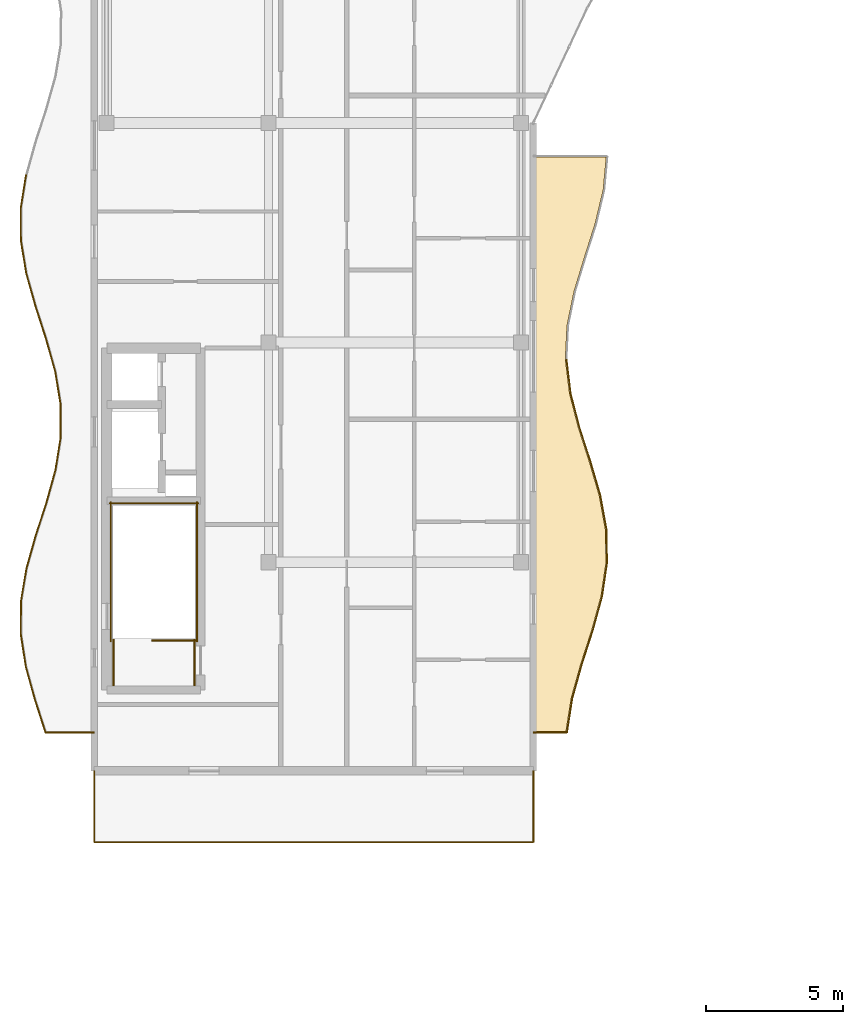
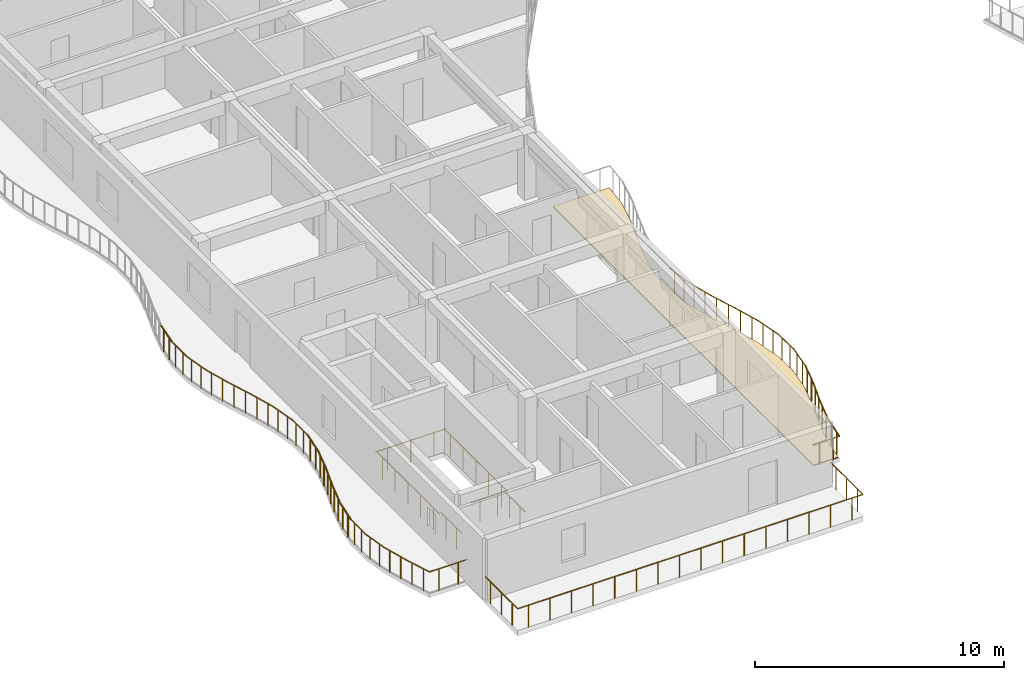
# One storey, part 47 of 68: 39 railings, 1 covering.
"""IFC4 building model written with IfcOpenShell, lengths in metres."""

from ifc_helpers import new_model, si_unit, direction, frame, origin, origin_2d, place, context, subcontext, project, spatial, polyline, circle, outline, extrude, material, layer, layer_set, type_object, element, save


model = new_model("IFC4")

# Units and contexts
model_context = context("Model", 3, precision=1e-05, world=origin(), true_north=direction((0.0, 1.0)))
body_context = subcontext(model_context, "Body", "Model", "MODEL_VIEW")
ifc_project = project(units=[si_unit("LENGTHUNIT", "METRE"), si_unit("AREAUNIT", "SQUARE_METRE"), si_unit("VOLUMEUNIT", "CUBIC_METRE"), si_unit("PLANEANGLEUNIT", "RADIAN"), si_unit("MASSUNIT", "GRAM", prefix="KILO")], contexts=[model_context])

# Site, building, storey
site_placement = place(None, origin())
site = spatial("IfcSite", under=ifc_project, at=site_placement, CompositionType="ELEMENT")
building_placement = place(site_placement, origin())
building = spatial("IfcBuilding", under=site, at=building_placement, Name="Keldmere Railside Commons", CompositionType="ELEMENT")
storey_placement = place(building_placement, frame((0.0, 0.0, 23.360107421875)))
storey = spatial("IfcBuildingStorey", under=building, at=storey_placement, Name="L07", CompositionType="ELEMENT", Elevation=23.360107421875)

# Railings
ifc_material_1 = material(Name="Steel F-24 (S235)", Category="steel")
railing_type_1 = type_object("IfcRailingType", Name="Balcony & Terrace Steel Balustrade 1100", PredefinedType="BALUSTRADE", material=ifc_material_1)
railing_1_placement = place(storey_placement, frame((24.0, 65.800048828125, 0.0)))
element("IfcRailing", 1, at=railing_1_placement, inside=storey, type_object=railing_type_1, Name="GR-1 GRD-L07-0716", PredefinedType="BALUSTRADE", context=body_context, shape_type="SweptSolid", body=[
    extrude(circle(Radius=0.02392578125, at=origin_2d()), frame((0.0, 0.0, 1.076171875), z_axis=(1.0, 0.0, 0.0), x_axis=(0.0, 1.0, 0.0)), (0.0, 0.0, 1.0), 1.22119140625),
    extrude(circle(Radius=0.02099609375, at=origin_2d()), frame((0.30517578125, 0.0, 0.0)), (0.0, 0.0, 1.0), 1.048095703125),
    extrude(circle(Radius=0.02099609375, at=origin_2d()), frame((0.916015625, 0.0, 0.0)), (0.0, 0.0, 1.0), 1.048095703125),
])
railing_2_placement = place(storey_placement, frame((25.22119140625, 65.800048828125, 0.0)))
element("IfcRailing", 2, at=railing_2_placement, inside=storey, type_object=railing_type_1, Name="GR-1 GRD-L07-0717", PredefinedType="BALUSTRADE", context=body_context, shape_type="SweptSolid", body=[
    extrude(circle(Radius=0.02392578125, at=origin_2d()), frame((0.0, 0.0, 1.076171875), z_axis=(0.155020076668, 0.987911319821, 0.0), x_axis=(-0.987911319821, 0.155020076668, 0.0)), (0.0, 0.0, 1.0), 1.25048828125),
    extrude(circle(Radius=0.02099609375, at=origin_2d()), frame((0.04833984375, 0.308837890625, 0.0)), (0.0, 0.0, 1.0), 1.048095703125),
    extrude(circle(Radius=0.02099609375, at=origin_2d()), frame((0.1455078125, 0.926513671875, 0.0)), (0.0, 0.0, 1.0), 1.048095703125),
])
railing_3_placement = place(storey_placement, frame((25.4150390625, 67.035400390625, 0.0)))
element("IfcRailing", 3, at=railing_3_placement, inside=storey, type_object=railing_type_1, Name="GR-1 GRD-L07-0718", PredefinedType="BALUSTRADE", context=body_context, shape_type="SweptSolid", body=[
    extrude(circle(Radius=0.02392578125, at=origin_2d()), frame((0.0, 0.0, 1.076171875), z_axis=(0.269538137452, 0.962989715656, 0.0), x_axis=(-0.962989715656, 0.269538137452, 0.0)), (0.0, 0.0, 1.0), 1.282470703125),
    extrude(circle(Radius=0.02099609375, at=origin_2d()), frame((0.08642578125, 0.308837890625, 0.0)), (0.0, 0.0, 1.0), 1.048095703125),
    extrude(circle(Radius=0.02099609375, at=origin_2d()), frame((0.25927734375, 0.92626953125, 0.0)), (0.0, 0.0, 1.0), 1.048095703125),
])
railing_4_placement = place(storey_placement, frame((25.7607421875, 68.2705078125, 0.0)))
element("IfcRailing", 4, at=railing_4_placement, inside=storey, type_object=railing_type_1, Name="GR-1 GRD-L07-0719", PredefinedType="BALUSTRADE", context=body_context, shape_type="SweptSolid", body=[
    extrude(circle(Radius=0.02392578125, at=origin_2d()), frame((0.0, 0.0, 1.076171875), z_axis=(0.307469778479, 0.951557846545, 0.0), x_axis=(-0.951557846545, 0.307469778479, 0.0)), (0.0, 0.0, 1.0), 1.29833984375),
    extrude(circle(Radius=0.02099609375, at=origin_2d()), frame((0.099853515625, 0.308837890625, 0.0)), (0.0, 0.0, 1.0), 1.048095703125),
    extrude(circle(Radius=0.02099609375, at=origin_2d()), frame((0.29931640625, 0.926513671875, 0.0)), (0.0, 0.0, 1.0), 1.048095703125),
])
railing_5_placement = place(storey_placement, frame((26.159912109375, 69.505859375, 0.0)))
element("IfcRailing", 5, at=railing_5_placement, inside=storey, type_object=railing_type_1, Name="GR-1 GRD-L07-0720", PredefinedType="BALUSTRADE", context=body_context, shape_type="SweptSolid", body=[
    extrude(circle(Radius=0.02392578125, at=origin_2d()), frame((0.0, 0.0, 1.076171875), z_axis=(0.26524505813, 0.964181030273, 0.0), x_axis=(-0.964181030273, 0.26524505813, 0.0)), (0.0, 0.0, 1.0), 1.28125),
    extrude(circle(Radius=0.02099609375, at=origin_2d()), frame((0.0849609375, 0.308837890625, 0.0)), (0.0, 0.0, 1.0), 1.048095703125),
    extrude(circle(Radius=0.02099609375, at=origin_2d()), frame((0.2548828125, 0.926513671875, 0.0)), (0.0, 0.0, 1.0), 1.048095703125),
])
railing_6_placement = place(storey_placement, frame((26.499755859375, 70.7412109375, 0.0)))
element("IfcRailing", 6, at=railing_6_placement, inside=storey, type_object=railing_type_1, Name="GR-1 GRD-L07-0721", PredefinedType="BALUSTRADE", context=body_context, shape_type="SweptSolid", body=[
    extrude(circle(Radius=0.02392578125, at=origin_2d()), frame((0.0, 0.0, 1.076171875), z_axis=(0.14719330666, 0.989107744624, 0.0), x_axis=(-0.989107744624, 0.14719330666, 0.0)), (0.0, 0.0, 1.0), 1.2490234375),
    extrude(circle(Radius=0.02099609375, at=origin_2d()), frame((0.0458984375, 0.308837890625, 0.0)), (0.0, 0.0, 1.0), 1.048095703125),
    extrude(circle(Radius=0.02099609375, at=origin_2d()), frame((0.137939453125, 0.926513671875, 0.0)), (0.0, 0.0, 1.0), 1.048095703125),
])
railing_7_placement = place(storey_placement, frame((26.68359375, 71.9765625, 0.0)))
element("IfcRailing", 7, at=railing_7_placement, inside=storey, type_object=railing_type_1, Name="GR-1 GRD-L07-0722", PredefinedType="BALUSTRADE", context=body_context, shape_type="SweptSolid", body=[
    extrude(circle(Radius=0.02392578125, at=origin_2d()), frame((0.0, 0.0, 1.076171875), z_axis=(-0.019561473706, 0.999808656067, 0.0), x_axis=(-0.999808656067, -0.019561473706, 0.0)), (0.0, 0.0, 1.0), 1.235595703125),
    extrude(circle(Radius=0.02099609375, at=origin_2d()), frame((-0.006103515625, 0.308837890625, 0.0)), (0.0, 0.0, 1.0), 1.048095703125),
    extrude(circle(Radius=0.02099609375, at=origin_2d()), frame((-0.01806640625, 0.926513671875, 0.0)), (0.0, 0.0, 1.0), 1.048095703125),
])
railing_8_placement = place(storey_placement, frame((26.659423828125, 73.2119140625, 0.0)))
element("IfcRailing", 8, at=railing_8_placement, inside=storey, type_object=railing_type_1, Name="GR-1 GRD-L07-0723", PredefinedType="BALUSTRADE", context=body_context, shape_type="SweptSolid", body=[
    extrude(circle(Radius=0.02392578125, at=origin_2d()), frame((0.0, 0.0, 1.076171875), z_axis=(-0.179484334361, 0.983760831564, 0.0), x_axis=(-0.983760831564, -0.179484334361, 0.0)), (0.0, 0.0, 1.0), 1.255615234375),
    extrude(circle(Radius=0.02099609375, at=origin_2d()), frame((-0.056396484375, 0.308837890625, 0.0)), (0.0, 0.0, 1.0), 1.048095703125),
    extrude(circle(Radius=0.02099609375, at=origin_2d()), frame((-0.1689453125, 0.92626953125, 0.0)), (0.0, 0.0, 1.0), 1.048095703125),
])
railing_9_placement = place(storey_placement, frame((26.43408203125, 74.447021484375, 0.0)))
element("IfcRailing", 9, at=railing_9_placement, inside=storey, type_object=railing_type_1, Name="GR-1 GRD-L07-0724", PredefinedType="BALUSTRADE", context=body_context, shape_type="SweptSolid", body=[
    extrude(circle(Radius=0.02392578125, at=origin_2d()), frame((0.0, 0.0, 1.076171875), z_axis=(-0.28160161041, 0.95953141325, 0.0), x_axis=(-0.95953141325, -0.28160161041, 0.0)), (0.0, 0.0, 1.0), 1.287353515625),
    extrude(circle(Radius=0.02099609375, at=origin_2d()), frame((-0.090576171875, 0.308837890625, 0.0)), (0.0, 0.0, 1.0), 1.048095703125),
    extrude(circle(Radius=0.02099609375, at=origin_2d()), frame((-0.27197265625, 0.926513671875, 0.0)), (0.0, 0.0, 1.0), 1.048095703125),
])
railing_10_placement = place(storey_placement, frame((26.071533203125, 75.682373046875, 0.0)))
element("IfcRailing", 10, at=railing_10_placement, inside=storey, type_object=railing_type_1, Name="GR-1 GRD-L07-0725", PredefinedType="BALUSTRADE", context=body_context, shape_type="SweptSolid", body=[
    extrude(circle(Radius=0.02392578125, at=origin_2d()), frame((0.0, 0.0, 1.076171875), z_axis=(-0.305990905619, 0.952034435133, 0.0), x_axis=(-0.952034435133, -0.305990905619, 0.0)), (0.0, 0.0, 1.0), 1.29736328125),
    extrude(circle(Radius=0.02099609375, at=origin_2d()), frame((-0.09912109375, 0.308837890625, 0.0)), (0.0, 0.0, 1.0), 1.048095703125),
    extrude(circle(Radius=0.02099609375, at=origin_2d()), frame((-0.2978515625, 0.92626953125, 0.0)), (0.0, 0.0, 1.0), 1.048095703125),
])
railing_11_placement = place(storey_placement, frame((25.674560546875, 76.91748046875, 0.0)))
element("IfcRailing", 11, at=railing_11_placement, inside=storey, type_object=railing_type_1, Name="GR-1 GRD-L07-0726", PredefinedType="BALUSTRADE", context=body_context, shape_type="SweptSolid", body=[
    extrude(circle(Radius=0.02392578125, at=origin_2d()), frame((0.0, 0.0, 1.076171875), z_axis=(-0.250092136248, 0.968222042399, 0.0), x_axis=(-0.968222042399, -0.250092136248, 0.0)), (0.0, 0.0, 1.0), 1.27587890625),
    extrude(circle(Radius=0.02099609375, at=origin_2d()), frame((-0.079833984375, 0.308837890625, 0.0)), (0.0, 0.0, 1.0), 1.048095703125),
    extrude(circle(Radius=0.02099609375, at=origin_2d()), frame((-0.2392578125, 0.926513671875, 0.0)), (0.0, 0.0, 1.0), 1.048095703125),
])
railing_12_placement = place(storey_placement, frame((25.35546875, 78.15283203125, 0.0)))
element("IfcRailing", 12, at=railing_12_placement, inside=storey, type_object=railing_type_1, Name="GR-1 GRD-L07-0727", PredefinedType="BALUSTRADE", context=body_context, shape_type="SweptSolid", body=[
    extrude(circle(Radius=0.02392578125, at=origin_2d()), frame((0.0, 0.0, 1.076171875), z_axis=(-0.120846923168, 0.992671154593, 0.0), x_axis=(-0.992671154593, -0.120846923168, 0.0)), (0.0, 0.0, 1.0), 1.244384765625),
    extrude(circle(Radius=0.02099609375, at=origin_2d()), frame((-0.03759765625, 0.308837890625, 0.0)), (0.0, 0.0, 1.0), 1.048095703125),
    extrude(circle(Radius=0.02099609375, at=origin_2d()), frame((-0.11279296875, 0.926513671875, 0.0)), (0.0, 0.0, 1.0), 1.048095703125),
])
railing_13_placement = place(storey_placement, frame((8.0, 65.800048828125, 0.0)))
element("IfcRailing", 13, at=railing_13_placement, inside=storey, type_object=railing_type_1, Name="GR-1 GRD-L07-0735", PredefinedType="BALUSTRADE", context=body_context, shape_type="SweptSolid", body=[
    extrude(circle(Radius=0.02392578125, at=origin_2d()), frame((0.0, 0.0, 1.076171875), z_axis=(-1.0, 0.0, 0.0), x_axis=(0.0, -1.0, 0.0)), (0.0, 0.0, 1.0), 1.776611328125),
    extrude(circle(Radius=0.02099609375, at=origin_2d()), frame((-0.444091796875, 0.0, 0.0)), (0.0, 0.0, 1.0), 1.048095703125),
    extrude(circle(Radius=0.02099609375, at=origin_2d()), frame((-1.33251953125, 0.0, 0.0)), (0.0, 0.0, 1.0), 1.048095703125),
])
railing_14_placement = place(storey_placement, frame((6.223388671875, 65.800048828125, 0.0)))
element("IfcRailing", 14, at=railing_14_placement, inside=storey, type_object=railing_type_1, Name="GR-1 GRD-L07-0736", PredefinedType="BALUSTRADE", context=body_context, shape_type="SweptSolid", body=[
    extrude(circle(Radius=0.02392578125, at=origin_2d()), frame((0.0, 0.0, 1.076171875), z_axis=(-0.307758169551, 0.951464612623, 0.0), x_axis=(-0.951464612623, -0.307758169551, 0.0)), (0.0, 0.0, 1.0), 1.255859375),
    extrude(circle(Radius=0.02099609375, at=origin_2d()), frame((-0.0966796875, 0.298828125, 0.0)), (0.0, 0.0, 1.0), 1.048095703125),
    extrude(circle(Radius=0.02099609375, at=origin_2d()), frame((-0.289794921875, 0.89599609375, 0.0)), (0.0, 0.0, 1.0), 1.048095703125),
])
railing_15_placement = place(storey_placement, frame((5.8369140625, 66.994873046875, 0.0)))
element("IfcRailing", 15, at=railing_15_placement, inside=storey, type_object=railing_type_1, Name="GR-1 GRD-L07-0737", PredefinedType="BALUSTRADE", context=body_context, shape_type="SweptSolid", body=[
    extrude(circle(Radius=0.02392578125, at=origin_2d()), frame((0.0, 0.0, 1.076171875), z_axis=(-0.266099406585, 0.963945592767, 0.0), x_axis=(-0.963945592767, -0.266099406585, 0.0)), (0.0, 0.0, 1.0), 1.239501953125),
    extrude(circle(Radius=0.02099609375, at=origin_2d()), frame((-0.08251953125, 0.298828125, 0.0)), (0.0, 0.0, 1.0), 1.048095703125),
    extrude(circle(Radius=0.02099609375, at=origin_2d()), frame((-0.247314453125, 0.89599609375, 0.0)), (0.0, 0.0, 1.0), 1.048095703125),
])
railing_16_placement = place(storey_placement, frame((5.507080078125, 68.189697265625, 0.0)))
element("IfcRailing", 16, at=railing_16_placement, inside=storey, type_object=railing_type_1, Name="GR-1 GRD-L07-0738", PredefinedType="BALUSTRADE", context=body_context, shape_type="SweptSolid", body=[
    extrude(circle(Radius=0.02392578125, at=origin_2d()), frame((0.0, 0.0, 1.076171875), z_axis=(-0.153452907858, 0.988155961916, 0.0), x_axis=(-0.988155961916, -0.153452907858, 0.0)), (0.0, 0.0, 1.0), 1.209228515625),
    extrude(circle(Radius=0.02099609375, at=origin_2d()), frame((-0.04638671875, 0.298828125, 0.0)), (0.0, 0.0, 1.0), 1.048095703125),
    extrude(circle(Radius=0.02099609375, at=origin_2d()), frame((-0.13916015625, 0.89599609375, 0.0)), (0.0, 0.0, 1.0), 1.048095703125),
])
railing_17_placement = place(storey_placement, frame((5.321533203125, 69.384521484375, 0.0)))
element("IfcRailing", 17, at=railing_17_placement, inside=storey, type_object=railing_type_1, Name="GR-1 GRD-L07-0739", PredefinedType="BALUSTRADE", context=body_context, shape_type="SweptSolid", body=[
    extrude(circle(Radius=0.02392578125, at=origin_2d()), frame((0.0, 0.0, 1.076171875), z_axis=(0.006741419841, 0.999977276371, 0.0), x_axis=(-0.999977276371, 0.006741419841, 0.0)), (0.0, 0.0, 1.0), 1.195068359375),
    extrude(circle(Radius=0.02099609375, at=origin_2d()), frame((0.001953125, 0.298828125, 0.0)), (0.0, 0.0, 1.0), 1.048095703125),
    extrude(circle(Radius=0.02099609375, at=origin_2d()), frame((0.006103515625, 0.896240234375, 0.0)), (0.0, 0.0, 1.0), 1.048095703125),
])
railing_18_placement = place(storey_placement, frame((5.32958984375, 70.57958984375, 0.0)))
element("IfcRailing", 18, at=railing_18_placement, inside=storey, type_object=railing_type_1, Name="GR-1 GRD-L07-0740", PredefinedType="BALUSTRADE", context=body_context, shape_type="SweptSolid", body=[
    extrude(circle(Radius=0.02392578125, at=origin_2d()), frame((0.0, 0.0, 1.076171875), z_axis=(0.16466044242, 0.986350312365, 0.0), x_axis=(-0.986350312365, 0.16466044242, 0.0)), (0.0, 0.0, 1.0), 1.21142578125),
    extrude(circle(Radius=0.02099609375, at=origin_2d()), frame((0.0498046875, 0.298828125, 0.0)), (0.0, 0.0, 1.0), 1.048095703125),
    extrude(circle(Radius=0.02099609375, at=origin_2d()), frame((0.149658203125, 0.89599609375, 0.0)), (0.0, 0.0, 1.0), 1.048095703125),
])
railing_19_placement = place(storey_placement, frame((5.529052734375, 71.7744140625, 0.0)))
element("IfcRailing", 19, at=railing_19_placement, inside=storey, type_object=railing_type_1, Name="GR-1 GRD-L07-0741", PredefinedType="BALUSTRADE", context=body_context, shape_type="SweptSolid", body=[
    extrude(circle(Radius=0.02392578125, at=origin_2d()), frame((0.0, 0.0, 1.076171875), z_axis=(0.272123246887, 0.962262406261, 0.0), x_axis=(-0.962262406261, 0.272123246887, 0.0)), (0.0, 0.0, 1.0), 1.24169921875),
    extrude(circle(Radius=0.02099609375, at=origin_2d()), frame((0.08447265625, 0.298828125, 0.0)), (0.0, 0.0, 1.0), 1.048095703125),
    extrude(circle(Radius=0.02099609375, at=origin_2d()), frame((0.25341796875, 0.89599609375, 0.0)), (0.0, 0.0, 1.0), 1.048095703125),
])
railing_20_placement = place(storey_placement, frame((5.866943359375, 72.96923828125, 0.0)))
element("IfcRailing", 20, at=railing_20_placement, inside=storey, type_object=railing_type_1, Name="GR-1 GRD-L07-0742", PredefinedType="BALUSTRADE", context=body_context, shape_type="SweptSolid", body=[
    extrude(circle(Radius=0.02392578125, at=origin_2d()), frame((0.0, 0.0, 1.076171875), z_axis=(0.307758169551, 0.951464612623, 0.0), x_axis=(-0.951464612623, 0.307758169551, 0.0)), (0.0, 0.0, 1.0), 1.255859375),
    extrude(circle(Radius=0.02099609375, at=origin_2d()), frame((0.0966796875, 0.298828125, 0.0)), (0.0, 0.0, 1.0), 1.048095703125),
    extrude(circle(Radius=0.02099609375, at=origin_2d()), frame((0.289794921875, 0.89599609375, 0.0)), (0.0, 0.0, 1.0), 1.048095703125),
])
railing_21_placement = place(storey_placement, frame((6.25341796875, 74.1640625, 0.0)))
element("IfcRailing", 21, at=railing_21_placement, inside=storey, type_object=railing_type_1, Name="GR-1 GRD-L07-0743", PredefinedType="BALUSTRADE", context=body_context, shape_type="SweptSolid", body=[
    extrude(circle(Radius=0.02392578125, at=origin_2d()), frame((0.0, 0.0, 1.076171875), z_axis=(0.26811085958, 0.963388066656, 0.0), x_axis=(-0.963388066656, 0.26811085958, 0.0)), (0.0, 0.0, 1.0), 1.240234375),
    extrude(circle(Radius=0.02099609375, at=origin_2d()), frame((0.0830078125, 0.298828125, 0.0)), (0.0, 0.0, 1.0), 1.048095703125),
    extrude(circle(Radius=0.02099609375, at=origin_2d()), frame((0.24951171875, 0.89599609375, 0.0)), (0.0, 0.0, 1.0), 1.048095703125),
])
railing_22_placement = place(storey_placement, frame((6.5859375, 75.35888671875, 0.0)))
element("IfcRailing", 22, at=railing_22_placement, inside=storey, type_object=railing_type_1, Name="GR-1 GRD-L07-0744", PredefinedType="BALUSTRADE", context=body_context, shape_type="SweptSolid", body=[
    extrude(circle(Radius=0.02392578125, at=origin_2d()), frame((0.0, 0.0, 1.076171875), z_axis=(0.157195561488, 0.987567494123, 0.0), x_axis=(-0.987567494123, 0.157195561488, 0.0)), (0.0, 0.0, 1.0), 1.2099609375),
    extrude(circle(Radius=0.02099609375, at=origin_2d()), frame((0.047607421875, 0.298828125, 0.0)), (0.0, 0.0, 1.0), 1.048095703125),
    extrude(circle(Radius=0.02099609375, at=origin_2d()), frame((0.142578125, 0.89599609375, 0.0)), (0.0, 0.0, 1.0), 1.048095703125),
])
railing_23_placement = place(storey_placement, frame((6.776123046875, 76.5537109375, 0.0)))
element("IfcRailing", 23, at=railing_23_placement, inside=storey, type_object=railing_type_1, Name="GR-1 GRD-L07-0745", PredefinedType="BALUSTRADE", context=body_context, shape_type="SweptSolid", body=[
    extrude(circle(Radius=0.02392578125, at=origin_2d()), frame((0.0, 0.0, 1.076171875), z_axis=(-0.002451473737, 0.999996995134, 0.0), x_axis=(-0.999996995134, -0.002451473737, 0.0)), (0.0, 0.0, 1.0), 1.195068359375),
    extrude(circle(Radius=0.02099609375, at=origin_2d()), frame((-0.000732421875, 0.298828125, 0.0)), (0.0, 0.0, 1.0), 1.048095703125),
    extrude(circle(Radius=0.02099609375, at=origin_2d()), frame((-0.002197265625, 0.896240234375, 0.0)), (0.0, 0.0, 1.0), 1.048095703125),
])
railing_24_placement = place(storey_placement, frame((6.773193359375, 77.748779296875, 0.0)))
element("IfcRailing", 24, at=railing_24_placement, inside=storey, type_object=railing_type_1, Name="GR-1 GRD-L07-0746", PredefinedType="BALUSTRADE", context=body_context, shape_type="SweptSolid", body=[
    extrude(circle(Radius=0.02392578125, at=origin_2d()), frame((0.0, 0.0, 1.076171875), z_axis=(-0.161127890205, 0.986933535248, 0.0), x_axis=(-0.986933535248, -0.161127890205, 0.0)), (0.0, 0.0, 1.0), 1.210693359375),
    extrude(circle(Radius=0.02099609375, at=origin_2d()), frame((-0.048828125, 0.298828125, 0.0)), (0.0, 0.0, 1.0), 1.048095703125),
    extrude(circle(Radius=0.02099609375, at=origin_2d()), frame((-0.146240234375, 0.89599609375, 0.0)), (0.0, 0.0, 1.0), 1.048095703125),
])
railing_25_placement = place(storey_placement, frame((6.578125, 78.943603515625, 0.0)))
element("IfcRailing", 25, at=railing_25_placement, inside=storey, type_object=railing_type_1, Name="GR-1 GRD-L07-0747", PredefinedType="BALUSTRADE", context=body_context, shape_type="SweptSolid", body=[
    extrude(circle(Radius=0.02392578125, at=origin_2d()), frame((0.0, 0.0, 1.076171875), z_axis=(-0.27011881235, 0.962826997552, 0.0), x_axis=(-0.962826997552, -0.27011881235, 0.0)), (0.0, 0.0, 1.0), 1.240966796875),
    extrude(circle(Radius=0.02099609375, at=origin_2d()), frame((-0.083740234375, 0.298828125, 0.0)), (0.0, 0.0, 1.0), 1.048095703125),
    extrude(circle(Radius=0.02099609375, at=origin_2d()), frame((-0.25146484375, 0.89599609375, 0.0)), (0.0, 0.0, 1.0), 1.048095703125),
])
railing_26_placement = place(storey_placement, frame((6.242919921875, 80.138427734375, 0.0)))
element("IfcRailing", 26, at=railing_26_placement, inside=storey, type_object=railing_type_1, Name="GR-1 GRD-L07-0748", PredefinedType="BALUSTRADE", context=body_context, shape_type="SweptSolid", body=[
    extrude(circle(Radius=0.02392578125, at=origin_2d()), frame((0.0, 0.0, 1.076171875), z_axis=(-0.307934154276, 0.951407671101, 0.0), x_axis=(-0.951407671101, -0.307934154276, 0.0)), (0.0, 0.0, 1.0), 1.255859375),
    extrude(circle(Radius=0.02099609375, at=origin_2d()), frame((-0.0966796875, 0.298828125, 0.0)), (0.0, 0.0, 1.0), 1.048095703125),
    extrude(circle(Radius=0.02099609375, at=origin_2d()), frame((-0.2900390625, 0.89599609375, 0.0)), (0.0, 0.0, 1.0), 1.048095703125),
])
railing_27_placement = place(storey_placement, frame((5.856201171875, 81.333251953125, 0.0)))
element("IfcRailing", 27, at=railing_27_placement, inside=storey, type_object=railing_type_1, Name="GR-1 GRD-L07-0749", PredefinedType="BALUSTRADE", context=body_context, shape_type="SweptSolid", body=[
    extrude(circle(Radius=0.02392578125, at=origin_2d()), frame((0.0, 0.0, 1.076171875), z_axis=(-0.270067654961, 0.962841348169, 0.0), x_axis=(-0.962841348169, -0.270067654961, 0.0)), (0.0, 0.0, 1.0), 1.2412109375),
    extrude(circle(Radius=0.02099609375, at=origin_2d()), frame((-0.083740234375, 0.298828125, 0.0)), (0.0, 0.0, 1.0), 1.048095703125),
    extrude(circle(Radius=0.02099609375, at=origin_2d()), frame((-0.25146484375, 0.896240234375, 0.0)), (0.0, 0.0, 1.0), 1.048095703125),
])
railing_28_placement = place(storey_placement, frame((5.52099609375, 82.5283203125, 0.0)))
element("IfcRailing", 28, at=railing_28_placement, inside=storey, type_object=railing_type_1, Name="GR-1 GRD-L07-0750", PredefinedType="BALUSTRADE", context=body_context, shape_type="SweptSolid", body=[
    extrude(circle(Radius=0.02392578125, at=origin_2d()), frame((0.0, 0.0, 1.076171875), z_axis=(-0.160734999231, 0.986997598792, 0.0), x_axis=(-0.986997598792, -0.160734999231, 0.0)), (0.0, 0.0, 1.0), 1.21044921875),
    extrude(circle(Radius=0.02099609375, at=origin_2d()), frame((-0.048583984375, 0.298828125, 0.0)), (0.0, 0.0, 1.0), 1.048095703125),
    extrude(circle(Radius=0.02099609375, at=origin_2d()), frame((-0.14599609375, 0.89599609375, 0.0)), (0.0, 0.0, 1.0), 1.048095703125),
])
railing_29_placement = place(storey_placement, frame((5.326416015625, 83.72314453125, 0.0)))
element("IfcRailing", 29, at=railing_29_placement, inside=storey, type_object=railing_type_1, Name="GR-1 GRD-L07-0751", PredefinedType="BALUSTRADE", context=body_context, shape_type="SweptSolid", body=[
    extrude(circle(Radius=0.02392578125, at=origin_2d()), frame((0.0, 0.0, 1.076171875), z_axis=(-0.001838983404, 0.999998309069, 0.0), x_axis=(-0.999998309069, -0.001838983404, 0.0)), (0.0, 0.0, 1.0), 1.19482421875),
    extrude(circle(Radius=0.02099609375, at=origin_2d()), frame((-0.00048828125, 0.298828125, 0.0)), (0.0, 0.0, 1.0), 1.048095703125),
    extrude(circle(Radius=0.02099609375, at=origin_2d()), frame((-0.001708984375, 0.89599609375, 0.0)), (0.0, 0.0, 1.0), 1.048095703125),
])
railing_30_placement = place(storey_placement, frame((5.32421875, 84.91796875, 0.0)))
element("IfcRailing", 30, at=railing_30_placement, inside=storey, type_object=railing_type_1, Name="GR-1 GRD-L07-0752", PredefinedType="BALUSTRADE", context=body_context, shape_type="SweptSolid", body=[
    extrude(circle(Radius=0.02392578125, at=origin_2d()), frame((0.0, 0.0, 1.076171875), z_axis=(0.157392357241, 0.987536149152, 0.0), x_axis=(-0.987536149152, 0.157392357241, 0.0)), (0.0, 0.0, 1.0), 1.2099609375),
    extrude(circle(Radius=0.02099609375, at=origin_2d()), frame((0.047607421875, 0.298828125, 0.0)), (0.0, 0.0, 1.0), 1.048095703125),
    extrude(circle(Radius=0.02099609375, at=origin_2d()), frame((0.142822265625, 0.89599609375, 0.0)), (0.0, 0.0, 1.0), 1.048095703125),
])
railing_31_placement = place(storey_placement, frame((8.0, 64.39990234375, 0.0)))
element("IfcRailing", 31, at=railing_31_placement, inside=storey, type_object=railing_type_1, Name="GR-1 GRD-L07-0787", PredefinedType="BALUSTRADE", context=body_context, shape_type="SweptSolid", body=[
    extrude(circle(Radius=0.02392578125, at=origin_2d()), frame((0.0, 0.0, 1.076171875), z_axis=(0.0, -1.0, 0.0), x_axis=(1.0, 0.0, 0.0)), (0.0, 0.0, 1.0), 2.599853515625),
    extrude(circle(Radius=0.02099609375, at=origin_2d()), frame((0.0, -0.433349609375, 0.0)), (0.0, 0.0, 1.0), 1.048095703125),
    extrude(circle(Radius=0.02099609375, at=origin_2d()), frame((0.0, -1.2998046875, 0.0)), (0.0, 0.0, 1.0), 1.048095703125),
    extrude(circle(Radius=0.02099609375, at=origin_2d()), frame((0.0, -2.16650390625, 0.0)), (0.0, 0.0, 1.0), 1.048095703125),
])
railing_32_placement = place(storey_placement, frame((8.0, 61.800048828125, 0.0)))
element("IfcRailing", 32, at=railing_32_placement, inside=storey, type_object=railing_type_1, Name="GR-1 GRD-L07-0788", PredefinedType="BALUSTRADE", context=body_context, shape_type="SweptSolid", body=[
    extrude(circle(Radius=0.02392578125, at=origin_2d()), frame((0.0, 0.0, 1.076171875), z_axis=(1.0, 0.0, 0.0), x_axis=(0.0, 1.0, 0.0)), (0.0, 0.0, 1.0), 16.0),
    extrude(circle(Radius=0.02099609375, at=origin_2d()), frame((0.5, 0.0, 0.0)), (0.0, 0.0, 1.0), 1.048095703125),
    extrude(circle(Radius=0.02099609375, at=origin_2d()), frame((1.5, 0.0, 0.0)), (0.0, 0.0, 1.0), 1.048095703125),
    extrude(circle(Radius=0.02099609375, at=origin_2d()), frame((2.5, 0.0, 0.0)), (0.0, 0.0, 1.0), 1.048095703125),
    extrude(circle(Radius=0.02099609375, at=origin_2d()), frame((3.5, 0.0, 0.0)), (0.0, 0.0, 1.0), 1.048095703125),
    extrude(circle(Radius=0.02099609375, at=origin_2d()), frame((4.5, 0.0, 0.0)), (0.0, 0.0, 1.0), 1.048095703125),
    extrude(circle(Radius=0.02099609375, at=origin_2d()), frame((5.5, 0.0, 0.0)), (0.0, 0.0, 1.0), 1.048095703125),
    extrude(circle(Radius=0.02099609375, at=origin_2d()), frame((6.5, 0.0, 0.0)), (0.0, 0.0, 1.0), 1.048095703125),
    extrude(circle(Radius=0.02099609375, at=origin_2d()), frame((7.5, 0.0, 0.0)), (0.0, 0.0, 1.0), 1.048095703125),
    extrude(circle(Radius=0.02099609375, at=origin_2d()), frame((8.5, 0.0, 0.0)), (0.0, 0.0, 1.0), 1.048095703125),
    extrude(circle(Radius=0.02099609375, at=origin_2d()), frame((9.5, 0.0, 0.0)), (0.0, 0.0, 1.0), 1.048095703125),
    extrude(circle(Radius=0.02099609375, at=origin_2d()), frame((10.5, 0.0, 0.0)), (0.0, 0.0, 1.0), 1.048095703125),
    extrude(circle(Radius=0.02099609375, at=origin_2d()), frame((11.5, 0.0, 0.0)), (0.0, 0.0, 1.0), 1.048095703125),
    extrude(circle(Radius=0.02099609375, at=origin_2d()), frame((12.5, 0.0, 0.0)), (0.0, 0.0, 1.0), 1.048095703125),
    extrude(circle(Radius=0.02099609375, at=origin_2d()), frame((13.5, 0.0, 0.0)), (0.0, 0.0, 1.0), 1.048095703125),
    extrude(circle(Radius=0.02099609375, at=origin_2d()), frame((14.5, 0.0, 0.0)), (0.0, 0.0, 1.0), 1.048095703125),
    extrude(circle(Radius=0.02099609375, at=origin_2d()), frame((15.5, 0.0, 0.0)), (0.0, 0.0, 1.0), 1.048095703125),
])
railing_33_placement = place(storey_placement, frame((24.0, 61.800048828125, 0.0)))
element("IfcRailing", 33, at=railing_33_placement, inside=storey, type_object=railing_type_1, Name="GR-1 GRD-L07-0789", PredefinedType="BALUSTRADE", context=body_context, shape_type="SweptSolid", body=[
    extrude(circle(Radius=0.02392578125, at=origin_2d()), frame((0.0, 0.0, 1.076171875), z_axis=(0.0, 1.0, 0.0), x_axis=(-1.0, 0.0, 0.0)), (0.0, 0.0, 1.0), 2.599853515625),
    extrude(circle(Radius=0.02099609375, at=origin_2d()), frame((0.0, 0.433349609375, 0.0)), (0.0, 0.0, 1.0), 1.048095703125),
    extrude(circle(Radius=0.02099609375, at=origin_2d()), frame((0.0, 1.2998046875, 0.0)), (0.0, 0.0, 1.0), 1.048095703125),
    extrude(circle(Radius=0.02099609375, at=origin_2d()), frame((0.0, 2.16650390625, 0.0)), (0.0, 0.0, 1.0), 1.048095703125),
])
railing_type_2 = type_object("IfcRailingType", Name="Stair Well Steel Guardrail 1100", PredefinedType="BALUSTRADE", material=ifc_material_1)
railing_34_placement = place(storey_placement, frame((11.699951171875, 69.14990234375, 0.0)))
element("IfcRailing", 34, at=railing_34_placement, inside=storey, type_object=railing_type_2, Name="L07 ST-D1 top well guard 1", PredefinedType="BALUSTRADE", context=body_context, shape_type="SweptSolid", body=[
    extrude(circle(Radius=0.02392578125, at=origin_2d()), frame((0.0, 0.0, 1.076171875), z_axis=(-1.0, 0.0, 0.0), x_axis=(0.0, -1.0, 0.0)), (0.0, 0.0, 1.0), 1.599853515625),
    extrude(circle(Radius=0.02099609375, at=origin_2d()), frame((-0.39990234375, 0.0, 0.0)), (0.0, 0.0, 1.0), 1.048095703125),
    extrude(circle(Radius=0.02099609375, at=origin_2d()), frame((-1.199951171875, 0.0, 0.0)), (0.0, 0.0, 1.0), 1.048095703125),
])
for number, where, name in (
    (35, (11.75, 69.10009765625, 0.0), "L07 ST-D1 top well guard 2"),
    (36, (8.60009765625, 69.10009765625, 0.0), "L07 ST-D1 top well guard 3"),
):
    element("IfcRailing", number, at=place(storey_placement, frame(where)), inside=storey, type_object=railing_type_2, Name=name, PredefinedType="BALUSTRADE", context=body_context, shape_type="SweptSolid", body=[
        extrude(circle(Radius=0.02392578125, at=origin_2d()), frame((0.0, 0.0, 1.076171875), z_axis=(0.0, 1.0, 0.0), x_axis=(-1.0, 0.0, 0.0)), (0.0, 0.0, 1.0), 5.099853515625),
        extrude(circle(Radius=0.02099609375, at=origin_2d()), frame((0.0, 0.510009765625, 0.0)), (0.0, 0.0, 1.0), 1.048095703125),
        extrude(circle(Radius=0.02099609375, at=origin_2d()), frame((0.0, 1.530029296875, 0.0)), (0.0, 0.0, 1.0), 1.048095703125),
        extrude(circle(Radius=0.02099609375, at=origin_2d()), frame((0.0, 2.5498046875, 0.0)), (0.0, 0.0, 1.0), 1.048095703125),
        extrude(circle(Radius=0.02099609375, at=origin_2d()), frame((0.0, 3.56982421875, 0.0)), (0.0, 0.0, 1.0), 1.048095703125),
        extrude(circle(Radius=0.02099609375, at=origin_2d()), frame((0.0, 4.58984375, 0.0)), (0.0, 0.0, 1.0), 1.048095703125),
    ])
railing_35_placement = place(storey_placement, frame((11.800048828125, 74.14990234375, 0.0)))
element("IfcRailing", 37, at=railing_35_placement, inside=storey, type_object=railing_type_2, Name="L07 ST-D1 top well guard 4", PredefinedType="BALUSTRADE", context=body_context, shape_type="SweptSolid", body=[
    extrude(circle(Radius=0.02392578125, at=origin_2d()), frame((0.0, 0.0, 1.076171875), z_axis=(-1.0, 0.0, 0.0), x_axis=(0.0, -1.0, 0.0)), (0.0, 0.0, 1.0), 3.25),
    extrude(circle(Radius=0.02099609375, at=origin_2d()), frame((-0.541748046875, 0.0, 0.0)), (0.0, 0.0, 1.0), 1.048095703125),
    extrude(circle(Radius=0.02099609375, at=origin_2d()), frame((-1.625, 0.0, 0.0)), (0.0, 0.0, 1.0), 1.048095703125),
    extrude(circle(Radius=0.02099609375, at=origin_2d()), frame((-2.708251953125, 0.0, 0.0)), (0.0, 0.0, 1.0), 1.048095703125),
])
for number, where, name in (
    (38, (11.64990234375, 67.5, 0.0), "L07 ST-D1 top well guard 5"),
    (39, (8.699951171875, 67.5, 0.0), "L07 ST-D1 top well guard 6"),
):
    element("IfcRailing", number, at=place(storey_placement, frame(where)), inside=storey, type_object=railing_type_2, Name=name, PredefinedType="BALUSTRADE", context=body_context, shape_type="SweptSolid", body=[
        extrude(circle(Radius=0.02392578125, at=origin_2d()), frame((0.0, 0.0, 1.076171875), z_axis=(0.0, 1.0, 0.0), x_axis=(-1.0, 0.0, 0.0)), (0.0, 0.0, 1.0), 1.699951171875),
        extrude(circle(Radius=0.02099609375, at=origin_2d()), frame((0.0, 0.425048828125, 0.0)), (0.0, 0.0, 1.0), 1.048095703125),
        extrude(circle(Radius=0.02099609375, at=origin_2d()), frame((0.0, 1.27490234375, 0.0)), (0.0, 0.0, 1.0), 1.048095703125),
    ])

# Covering
ifc_material_2 = material(Name="White Precast Concrete C35/45", Category="concrete")
ifc_layer = layer(ifc_material_2, 0.044921875, Name="White Architectural Balcony Ribbon Cladding 45")
ifc_layer_set = layer_set([ifc_layer], Name="White Precast Concrete C35/45")
covering_type = type_object("IfcCoveringType", Name="White Architectural Balcony Ribbon Cladding 45", PredefinedType="FLOORING", material=ifc_layer_set)
covering_placement = place(storey_placement, origin())
element("IfcCovering", 40, at=covering_placement, inside=storey, type_object=covering_type, Name="CLG-WB D L07 CE White Balcony Ribbon", PredefinedType="FLOORING", context=body_context, shape_type="SweptSolid", body=[
    extrude(outline(polyline([(25.37548828125, 67.04150390625), (25.37646484375, 67.046142578125), (25.72216796875, 68.281494140625), (25.72265625, 68.282958984375), (26.12158203125, 69.517333984375), (26.460693359375, 70.74951171875), (26.6435546875, 71.97900390625), (26.61962890625, 73.207763671875), (26.395263671875, 74.43798828125), (26.033203125, 75.670654296875), (25.636474609375, 76.905517578125), (25.6357421875, 76.90771484375), (25.31689453125, 78.142822265625), (25.31591796875, 78.148193359375), (25.165283203125, 79.38330078125), (25.1650390625, 79.38671875), (25.1650390625, 79.39013671875), (25.225830078125, 80.62548828125), (25.226318359375, 80.62841796875), (25.226806640625, 80.631591796875), (25.4814453125, 81.866943359375), (25.482421875, 81.87060546875), (25.85888671875, 83.105712890625), (25.859130859375, 83.106201171875), (26.25, 84.340087890625), (26.544677734375, 85.5712890625), (26.656005859375, 86.760009765625), (24.0400390625, 86.760009765625), (24.0400390625, 65.840087890625), (25.18701171875, 65.840087890625), (25.37548828125, 67.04150390625)])), origin(), (0.0, 0.0, 1.0), 0.044921875),
])

save(model, "model.ifc")
